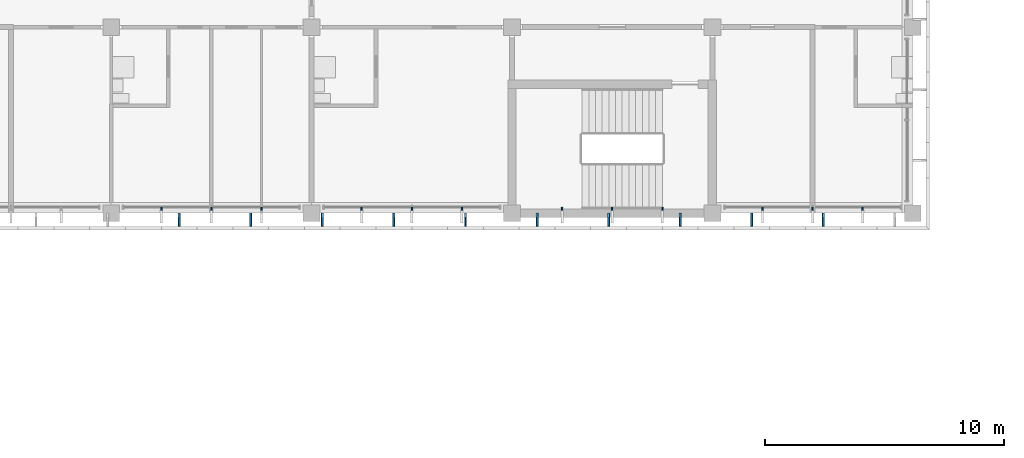
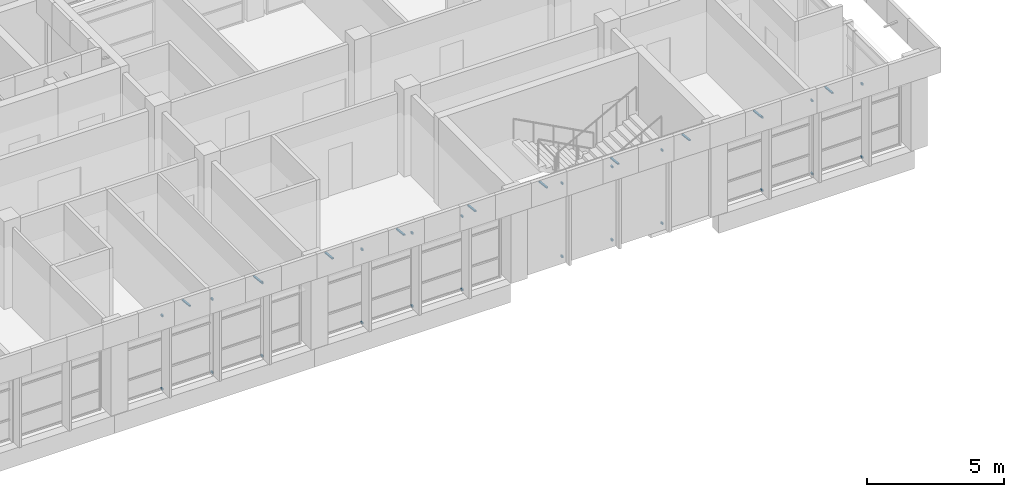
# One storey, part 56 of 74: 34 discrete accessories.
"""IFC4 building model written with IfcOpenShell, lengths in metres."""

from ifc_helpers import new_model, si_unit, direction, frame, origin, origin_2d, place, context, subcontext, project, spatial, rectangle, extrude, material, material_profile, profile_set, type_object, element, save


model = new_model("IFC4")

# Units and contexts
model_context = context("Model", 3, precision=1e-05, world=origin(), true_north=direction((0.0, 1.0)))
body_context = subcontext(model_context, "Body", "Model", "MODEL_VIEW")
ifc_project = project(units=[si_unit("LENGTHUNIT", "METRE"), si_unit("AREAUNIT", "SQUARE_METRE"), si_unit("VOLUMEUNIT", "CUBIC_METRE"), si_unit("PLANEANGLEUNIT", "RADIAN"), si_unit("MASSUNIT", "GRAM", prefix="KILO")], contexts=[model_context])

# Site, building, storey
site_placement = place(None, origin())
site = spatial("IfcSite", under=ifc_project, at=site_placement, CompositionType="ELEMENT")
building_placement = place(site_placement, origin())
building = spatial("IfcBuilding", under=site, at=building_placement, Name="Bougainvillea Quay General Hospital", CompositionType="ELEMENT")
storey_placement = place(building_placement, frame((0.0, 0.0, 21.0)))
storey = spatial("IfcBuildingStorey", under=building, at=storey_placement, Name="L04", CompositionType="ELEMENT", Elevation=21.0)

# Discrete accessories
ifc_material = material(Name="Stainless steel bracket, grade 316", Category="steel")
discrete_accessory_type_1 = type_object("IfcDiscreteAccessoryType", Name="Stainless steel fin arm 60x80", PredefinedType="BRACKET", material=ifc_material)
for number, where, z_axis, x_axis, name in (
    (1, (165.89990234375, 117.7900390625, 0.0), (0.0, 0.0, 1.0), (0.0, -1.0, 0.0), "Fin arm V5B L04 01.1B"),
    (2, (165.89990234375, 117.7900390625, 3.25), (0.0, 0.0, 1.0), (0.0, -1.0, 0.0), "Fin arm V5B L04 01.1T"),
    (3, (163.800048828125, 117.7900390625, 0.0), (0.0, 0.0, 1.0), (0.0, -1.0, 0.0), "Fin arm V5B L04 01.2B"),
    (4, (163.800048828125, 117.7900390625, 3.25), (0.0, 0.0, 1.0), (0.0, -1.0, 0.0), "Fin arm V5B L04 01.2T"),
    (5, (161.699951171875, 117.7900390625, 0.0), (0.0, 0.0, 1.0), (0.0, -1.0, 0.0), "Fin arm V5B L04 01.3B"),
    (6, (161.699951171875, 117.7900390625, 3.25), (0.0, 0.0, 1.0), (0.0, -1.0, 0.0), "Fin arm V5B L04 01.3T"),
    (7, (157.5, 117.7900390625, 0.0), (0.0, 0.0, 1.0), (0.0, -1.0, 0.0), "Fin arm V5B L04 01.4B"),
    (8, (157.5, 117.7900390625, 3.25), (0.0, 0.0, 1.0), (0.0, -1.0, 0.0), "Fin arm V5B L04 01.4T"),
    (9, (155.39990234375, 117.7900390625, 0.0), (0.0, 0.0, 1.0), (0.0, -1.0, 0.0), "Fin arm V5B L04 01.5B"),
    (10, (155.39990234375, 117.7900390625, 3.25), (0.0, 0.0, 1.0), (0.0, -1.0, 0.0), "Fin arm V5B L04 01.5T"),
    (11, (153.300048828125, 117.7900390625, 0.0), (0.0, 0.0, 1.0), (0.0, -1.0, 0.0), "Fin arm V5B L04 01.6B"),
    (12, (153.300048828125, 117.7900390625, 3.25), (0.0, 0.0, 1.0), (0.0, -1.0, 0.0), "Fin arm V5B L04 01.6T"),
    (13, (149.10009765625, 117.7900390625, 0.0), (0.0, 0.0, 1.0), (0.0, -1.0, 0.0), "Fin arm V5B L04 01.7B"),
    (14, (149.10009765625, 117.7900390625, 3.25), (0.0, 0.0, 1.0), (0.0, -1.0, 0.0), "Fin arm V5B L04 01.7T"),
    (15, (147.0, 117.7900390625, 0.0), (0.0, 0.0, 1.0), (0.0, -1.0, 0.0), "Fin arm V5B L04 01.8B"),
    (16, (147.0, 117.7900390625, 3.25), (0.0, 0.0, 1.0), (0.0, -1.0, 0.0), "Fin arm V5B L04 01.8T"),
    (17, (144.89990234375, 117.7900390625, 0.0), (0.0, 0.0, 1.0), (0.0, -1.0, 0.0), "Fin arm V5B L04 01.9B"),
    (18, (144.89990234375, 117.7900390625, 3.25), (0.0, 0.0, 1.0), (0.0, -1.0, 0.0), "Fin arm V5B L04 01.9T"),
    (19, (140.699951171875, 117.7900390625, 0.0), (0.0, 0.0, 1.0), (0.0, -1.0, 0.0), "Fin arm V5B L04 01.10B"),
    (20, (140.699951171875, 117.7900390625, 3.25), (0.0, 0.0, 1.0), (0.0, -1.0, 0.0), "Fin arm V5B L04 01.10T"),
    (21, (138.60009765625, 117.7900390625, 0.0), (0.0, 0.0, 1.0), (0.0, -1.0, 0.0), "Fin arm V5B L04 01.11B"),
    (22, (138.60009765625, 117.7900390625, 3.25), (0.0, 0.0, 1.0), (0.0, -1.0, 0.0), "Fin arm V5B L04 01.11T"),
    (23, (136.5, 117.7900390625, 0.0), (0.0, 0.0, 1.0), (0.0, -1.0, 0.0), "Fin arm V5B L04 01.12B"),
    (24, (136.5, 117.7900390625, 3.25), (0.0, 0.0, 1.0), (0.0, -1.0, 0.0), "Fin arm V5B L04 01.12T"),
):
    element("IfcDiscreteAccessory", number, at=place(storey_placement, frame(where, z_axis=z_axis, x_axis=x_axis)), inside=storey, type_object=discrete_accessory_type_1, Name=name, PredefinedType="BRACKET", context=body_context, shape_type="SweptSolid", body=[
        extrude(rectangle(XDim=0.1201171875, YDim=0.06005859375, at=origin_2d()), origin(), (0.0, 0.0, 1.0), 0.080078125),
    ])
ifc_material_profile = material_profile(ifc_material, rectangle(XDim=0.080078125, YDim=0.050048828125, at=origin_2d()))
ifc_profile_set = profile_set([ifc_material_profile], Name="Stainless steel bracket, grade 316")
discrete_accessory_type_2 = type_object("IfcDiscreteAccessoryType", Name="Stainless steel stand-off bracket 80x50", PredefinedType="BRACKET", material=ifc_profile_set)
for number, where, z_axis, x_axis, name in (
    (25, (137.25, 117.60009765625, 3.840087890625), (0.0, -0.994139309541, 0.108106582706), (1.0, 0.0, 0.0), "Fascia bracket e0 77"),
    (26, (140.25, 117.60009765625, 3.840087890625), (0.0, -0.994139309541, 0.108106582706), (1.0, 0.0, 0.0), "Fascia bracket e0 79"),
    (27, (143.25, 117.60009765625, 3.840087890625), (0.0, -0.994139309541, 0.108106582706), (1.0, 0.0, 0.0), "Fascia bracket e0 81"),
    (28, (146.25, 117.60009765625, 3.840087890625), (0.0, -0.994139309541, 0.108106582706), (1.0, 0.0, 0.0), "Fascia bracket e0 83"),
    (29, (149.25, 117.60009765625, 3.840087890625), (0.0, -0.994139309541, 0.108106582706), (1.0, 0.0, 0.0), "Fascia bracket e0 85"),
    (30, (152.25, 117.60009765625, 3.840087890625), (0.0, -0.994139309541, 0.108106582706), (1.0, 0.0, 0.0), "Fascia bracket e0 87"),
    (31, (155.25, 117.60009765625, 3.840087890625), (0.0, -0.994139309541, 0.108106582706), (1.0, 0.0, 0.0), "Fascia bracket e0 89"),
    (32, (158.25, 117.60009765625, 3.840087890625), (0.0, -0.994139309541, 0.108106582706), (1.0, 0.0, 0.0), "Fascia bracket e0 91"),
    (33, (161.25, 117.60009765625, 3.840087890625), (0.0, -0.994139309541, 0.108106582706), (1.0, 0.0, 0.0), "Fascia bracket e0 93"),
    (34, (164.25, 117.60009765625, 3.840087890625), (0.0, -0.994139309541, 0.108106582706), (1.0, 0.0, 0.0), "Fascia bracket e0 95"),
):
    element("IfcDiscreteAccessory", number, at=place(storey_placement, frame(where, z_axis=z_axis, x_axis=x_axis)), inside=storey, type_object=discrete_accessory_type_2, Name=name, PredefinedType="BRACKET", context=body_context, shape_type="SweptSolid", body=[
        extrude(rectangle(XDim=0.080078125, YDim=0.050048828125, at=origin_2d()), origin(), (0.0, 0.0, 1.0), 0.55322265625),
    ])

save(model, "model.ifc")
